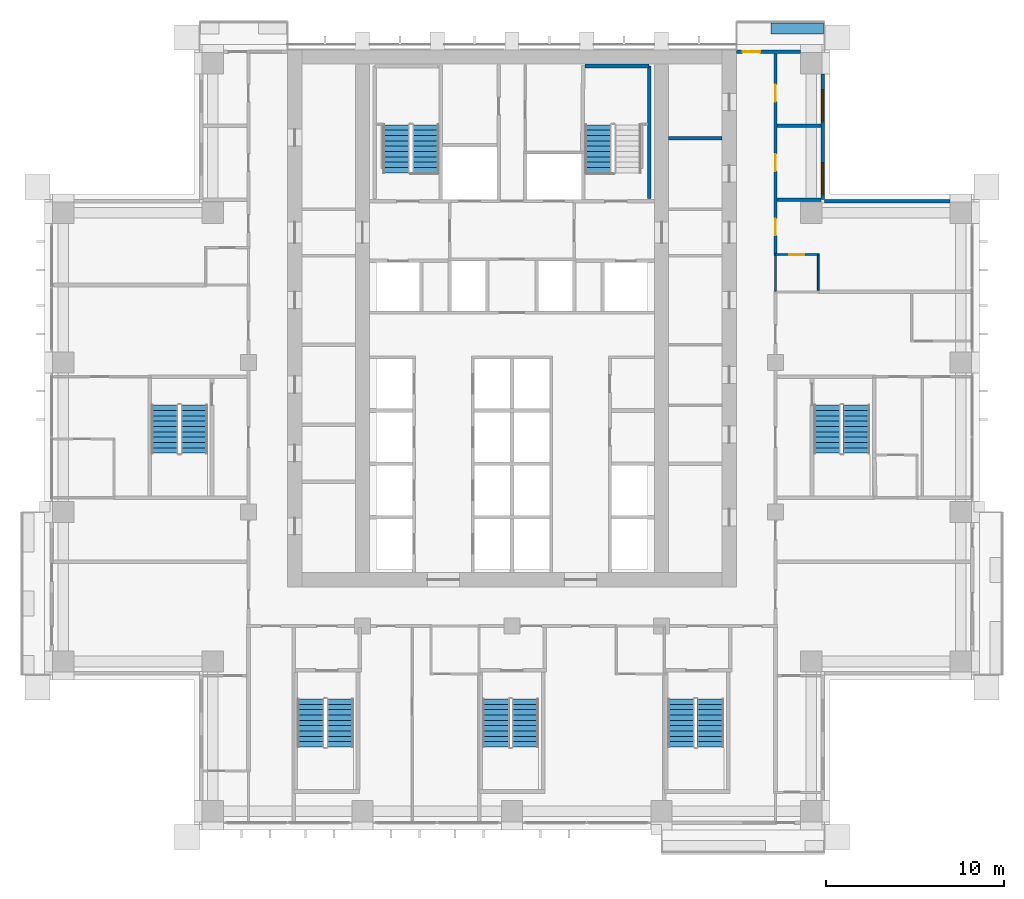
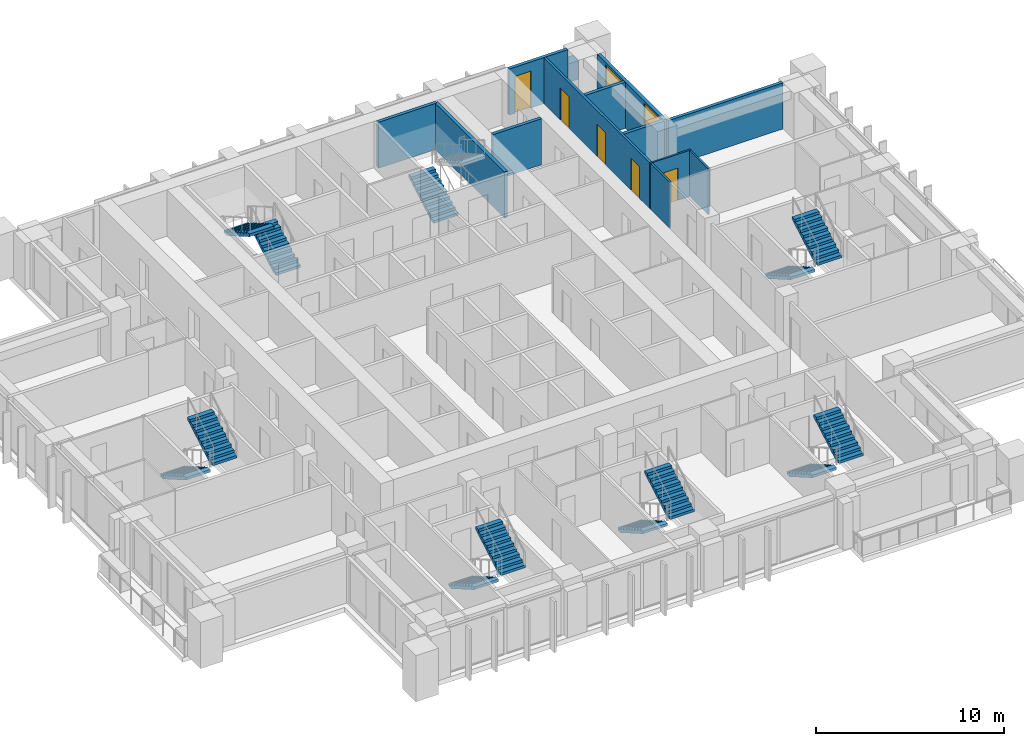
# One storey, part 15 of 21: 13 stair flights, 13 walls, 5 doors, 2 windows, 7 openings, 7 elements without a shape of their own.
"""IFC4 building model written with IfcOpenShell, lengths in metres."""

from ifc_helpers import new_model, si_unit, direction, frame, frame_2d, origin, place, context, subcontext, project, spatial, polyline, rectangle, outline, extrude, material, layer, layer_set, type_object, element, fill, aggregate, save


model = new_model("IFC4")

# Units and contexts
model_context = context("Model", 3, precision=1e-05, world=origin(), true_north=direction((0.0, 1.0)))
body_context = subcontext(model_context, "Body", "Model", "MODEL_VIEW")
ifc_project = project(units=[si_unit("LENGTHUNIT", "METRE"), si_unit("AREAUNIT", "SQUARE_METRE"), si_unit("VOLUMEUNIT", "CUBIC_METRE"), si_unit("PLANEANGLEUNIT", "RADIAN"), si_unit("MASSUNIT", "GRAM", prefix="KILO")], contexts=[model_context])

# Site, building, storey
site_placement = place(None, origin())
site = spatial("IfcSite", under=ifc_project, at=site_placement, CompositionType="ELEMENT")
building_placement = place(site_placement, origin())
building = spatial("IfcBuilding", under=site, at=building_placement, Name="Vermilion Ogive Tower", CompositionType="ELEMENT")
storey_placement = place(building_placement, frame((0.0, 0.0, 118.35009765625)))
storey = spatial("IfcBuildingStorey", under=building, at=storey_placement, Name="L30", CompositionType="ELEMENT", Elevation=118.35009765625)

# Wall, opening, door
ifc_material_1 = material(Name="Gypsum board partition on steel studs", Category="steel")
ifc_layer_1 = layer(ifc_material_1, 0.10009765625)
ifc_layer_set_1 = layer_set([ifc_layer_1], Name="Partition 100 bath")
wall_type_1 = type_object("IfcWallType", Name="Partition 100 bath", PredefinedType="PARTITIONING", material=ifc_layer_set_1)
wall_1_placement = place(storey_placement, frame((14.72509765625, 10.260009765625, 0.0), z_axis=(0.0, 0.0, 1.0), x_axis=(1.0, 0.0, 0.0)))
wall_1 = element("IfcWall", 1, at=wall_1_placement, inside=storey, type_object=wall_type_1, Name="L30-W-W036", PredefinedType="PARTITIONING", context=body_context, shape_type="SweptSolid", body=[
    extrude(rectangle(XDim=2.52490234375, YDim=0.10009765625, at=frame_2d((1.262451171875, 0.0))), origin(), (0.0, 0.0, 1.0), 3.0),
])
opening_1_placement = place(wall_1_placement, frame((0.849853515625, 0.0, 0.0)))
opening_1 = element("IfcOpeningElement", 2, at=opening_1_placement, cuts=wall_1, Name="Opening D2G6025", PredefinedType="OPENING", context=body_context, shape_type="SweptSolid", body=[
    extrude(rectangle(XDim=0.85009765625, YDim=2.10009765625, at=frame_2d((0.425048828125, 1.050048828125))), frame((0.0, 0.06005859375, 0.0), z_axis=(0.0, -1.0, 0.0), x_axis=(1.0, 0.0, 0.0)), (0.0, 0.0, 1.0), 0.1201171875),
])
ifc_material_2 = material(Name="Timber door leaf", Category="wood")
door_type_1 = type_object("IfcDoorType", Name="Bath door 850 x 2100 FD30", OperationType="SINGLE_SWING_LEFT", PredefinedType="DOOR", material=ifc_material_2)
door_1_placement = place(opening_1_placement, origin())
door_1 = element("IfcDoor", 3, at=door_1_placement, inside=storey, type_object=door_type_1, Name="L30-D-D025", OperationType="SINGLE_SWING_RIGHT", OverallHeight=2.10009765625, OverallWidth=0.85009765625, PredefinedType="DOOR", context=body_context, shape_type="SweptSolid", body=[
    extrude(rectangle(XDim=0.85009765625, YDim=2.10009765625, at=frame_2d((0.425048828125, 1.050048828125))), frame((0.0, 0.02490234375, 0.0), z_axis=(0.0, -1.0, 0.0), x_axis=(1.0, 0.0, 0.0)), (0.0, 0.0, 1.0), 0.050048828125),
])
fill(opening_1, door_1)

# Walls
wall_2_placement = place(storey_placement, frame((14.800048828125, 8.2099609375, 0.0), z_axis=(0.0, 0.0, 1.0), x_axis=(0.0, 1.0, 0.0)))
element("IfcWall", 4, at=wall_2_placement, inside=storey, type_object=wall_type_1, Name="L30-W-W071", PredefinedType="PARTITIONING", context=body_context, shape_type="SweptSolid", body=[
    extrude(rectangle(XDim=2.0, YDim=0.10009765625, at=frame_2d((1.0, 0.0))), origin(), (0.0, 0.0, 1.0), 3.0),
])
wall_3_placement = place(storey_placement, frame((17.199951171875, 8.260009765625, 0.0), z_axis=(0.0, 0.0, 1.0), x_axis=(0.0, 1.0, 0.0)))
element("IfcWall", 5, at=wall_3_placement, inside=storey, type_object=wall_type_1, Name="L30-W-W074", PredefinedType="PARTITIONING", context=body_context, shape_type="SweptSolid", body=[
    extrude(rectangle(XDim=1.949951171875, YDim=0.10009765625, at=frame_2d((0.97509765625, 0.0))), origin(), (0.0, 0.0, 1.0), 3.0),
])

# Wall, openings, doors
ifc_material_3 = material(Name="Gypsum board partition on steel studs", Category="steel")
ifc_layer_2 = layer(ifc_material_3, 0.14990234375)
ifc_layer_set_2 = layer_set([ifc_layer_2], Name="Partition 150 corridor")
wall_type_2 = type_object("IfcWallType", Name="Partition 150 corridor", PredefinedType="PARTITIONING", material=ifc_layer_set_2)
wall_4_placement = place(storey_placement, frame((14.800048828125, 10.31005859375, 0.0), z_axis=(0.0, 0.0, 1.0), x_axis=(0.0, 1.0, 0.0)))
wall_4 = element("IfcWall", 6, at=wall_4_placement, inside=storey, type_object=wall_type_2, Name="L30-W-W072", PredefinedType="PARTITIONING", context=body_context, shape_type="SweptSolid", body=[
    extrude(rectangle(XDim=11.239990234375, YDim=0.14990234375, at=frame_2d((5.6201171875, 0.0))), origin(), (0.0, 0.0, 1.0), 3.0),
])
opening_2_placement = place(wall_4_placement, frame((1.02001953125, 0.0, 0.0)))
opening_2 = element("IfcOpeningElement", 7, at=opening_2_placement, cuts=wall_4, Name="Opening D2G6024", PredefinedType="OPENING", context=body_context, shape_type="SweptSolid", body=[
    extrude(rectangle(XDim=0.949951171875, YDim=2.10009765625, at=frame_2d((0.47509765625, 1.050048828125))), frame((0.0, 0.0849609375, 0.0), z_axis=(0.0, -1.0, 0.0), x_axis=(1.0, 0.0, 0.0)), (0.0, 0.0, 1.0), 0.169921875),
])
opening_3_placement = place(wall_4_placement, frame((4.639892578125, 0.0, 0.0)))
opening_3 = element("IfcOpeningElement", 8, at=opening_3_placement, cuts=wall_4, Name="Opening D2G6026", PredefinedType="OPENING", context=body_context, shape_type="SweptSolid", body=[
    extrude(rectangle(XDim=0.949951171875, YDim=2.10009765625, at=frame_2d((0.47509765625, 1.050048828125))), frame((0.0, 0.0849609375, 0.0), z_axis=(0.0, -1.0, 0.0), x_axis=(1.0, 0.0, 0.0)), (0.0, 0.0, 1.0), 0.169921875),
])
opening_4_placement = place(wall_4_placement, frame((8.5400390625, 0.0, 0.0)))
opening_4 = element("IfcOpeningElement", 9, at=opening_4_placement, cuts=wall_4, Name="Opening D2G6027", PredefinedType="OPENING", context=body_context, shape_type="SweptSolid", body=[
    extrude(rectangle(XDim=0.949951171875, YDim=2.10009765625, at=frame_2d((0.47509765625, 1.050048828125))), frame((0.0, 0.0849609375, 0.0), z_axis=(0.0, -1.0, 0.0), x_axis=(1.0, 0.0, 0.0)), (0.0, 0.0, 1.0), 0.169921875),
])
ifc_material_4 = material(Name="Timber door leaf", Category="wood")
door_type_2 = type_object("IfcDoorType", Name="Unit door 950 x 2100 FD30S", OperationType="SINGLE_SWING_LEFT", PredefinedType="DOOR", material=ifc_material_4)
door_2_placement = place(opening_2_placement, origin())
door_2 = element("IfcDoor", 10, at=door_2_placement, inside=storey, type_object=door_type_2, Name="L30-D-D024", OperationType="SINGLE_SWING_RIGHT", OverallHeight=2.10009765625, OverallWidth=0.949951171875, PredefinedType="DOOR", context=body_context, shape_type="SweptSolid", body=[
    extrude(rectangle(XDim=0.949951171875, YDim=2.10009765625, at=frame_2d((0.47509765625, 1.050048828125))), frame((0.0, 0.02490234375, 0.0), z_axis=(0.0, -1.0, 0.0), x_axis=(1.0, 0.0, 0.0)), (0.0, 0.0, 1.0), 0.050048828125),
])
fill(opening_2, door_2)
door_3_placement = place(opening_3_placement, origin())
door_3 = element("IfcDoor", 11, at=door_3_placement, inside=storey, type_object=door_type_2, Name="L30-D-D026", OperationType="SINGLE_SWING_RIGHT", OverallHeight=2.10009765625, OverallWidth=0.949951171875, PredefinedType="DOOR", context=body_context, shape_type="SweptSolid", body=[
    extrude(rectangle(XDim=0.949951171875, YDim=2.10009765625, at=frame_2d((0.47509765625, 1.050048828125))), frame((0.0, 0.02490234375, 0.0), z_axis=(0.0, -1.0, 0.0), x_axis=(1.0, 0.0, 0.0)), (0.0, 0.0, 1.0), 0.050048828125),
])
fill(opening_3, door_3)
door_4_placement = place(opening_4_placement, origin())
door_4 = element("IfcDoor", 12, at=door_4_placement, inside=storey, type_object=door_type_2, Name="L30-D-D027", OperationType="SINGLE_SWING_LEFT", OverallHeight=2.10009765625, OverallWidth=0.949951171875, PredefinedType="DOOR", context=body_context, shape_type="SweptSolid", body=[
    extrude(rectangle(XDim=0.949951171875, YDim=2.10009765625, at=frame_2d((0.47509765625, 1.050048828125))), frame((0.0, 0.02490234375, 0.0), z_axis=(0.0, -1.0, 0.0), x_axis=(1.0, 0.0, 0.0)), (0.0, 0.0, 1.0), 0.050048828125),
])
fill(opening_4, door_4)

# Walls
ifc_material_5 = material(Name="Gypsum board partition on steel studs", Category="steel")
ifc_layer_3 = layer(ifc_material_5, 0.199951171875)
ifc_layer_set_3 = layer_set([ifc_layer_3], Name="Partition 200 party")
wall_type_3 = type_object("IfcWallType", Name="Partition 200 party", PredefinedType="PARTITIONING", material=ifc_layer_set_3)
for number, where, z_axis, x_axis, name in (
    (13, (14.875, 13.35009765625, 0.0), (0.0, 0.0, 1.0), (1.0, 0.0, 0.0), "L30-W-W039"),
    (14, (14.875, 17.5, 0.0), (0.0, 0.0, 1.0), (1.0, 0.0, 0.0), "L30-W-W041"),
):
    element("IfcWall", number, at=place(storey_placement, frame(where, z_axis=z_axis, x_axis=x_axis)), inside=storey, type_object=wall_type_3, Name=name, PredefinedType="PARTITIONING", context=body_context, shape_type="SweptSolid", body=[
        extrude(rectangle(XDim=2.47509765625, YDim=0.199951171875, at=frame_2d((1.237548828125, 0.0))), origin(), (0.0, 0.0, 1.0), 3.0),
    ])
wall_5_placement = place(storey_placement, frame((8.801025390625, 16.800048828125, 0.0), z_axis=(0.0, 0.0, 1.0), x_axis=(1.0, 0.0, 0.0)))
element("IfcWall", 15, at=wall_5_placement, inside=storey, type_object=wall_type_3, Name="L30-CKE-W-W006", PredefinedType="PARTITIONING", context=body_context, shape_type="SweptSolid", body=[
    extrude(rectangle(XDim=2.998046875, YDim=0.199951171875, at=frame_2d((1.4990234375, 0.0))), origin(), (0.0, 0.0, 1.0), 3.0),
])
ifc_material_6 = material(Name="Concrete B60", Category="concrete")
ifc_layer_4 = layer(ifc_material_6, 0.199951171875)
ifc_layer_set_4 = layer_set([ifc_layer_4], Name="Stair shaft wall 200 Concrete B60")
wall_type_4 = type_object("IfcWallType", Name="Stair shaft wall 200 Concrete B60", PredefinedType="SOLIDWALL", material=ifc_layer_set_4)
wall_6_placement = place(storey_placement, frame((7.699951171875, 13.39990234375, 0.0), z_axis=(0.0, 0.0, 1.0), x_axis=(0.0, 1.0, 0.0)))
element("IfcWall", 16, at=wall_6_placement, inside=storey, type_object=wall_type_4, Name="L30-SW-R025-E1", PredefinedType="SOLIDWALL", context=body_context, shape_type="SweptSolid", body=[
    extrude(rectangle(XDim=7.4501953125, YDim=0.199951171875, at=frame_2d((3.72509765625, 0.0))), origin(), (0.0, 0.0, 1.0), 3.0),
])
wall_7_placement = place(storey_placement, frame((4.10009765625, 20.85009765625, 0.0), z_axis=(0.0, 0.0, 1.0), x_axis=(1.0, 0.0, 0.0)))
element("IfcWall", 17, at=wall_7_placement, inside=storey, type_object=wall_type_4, Name="L30-SW-R025-N1", PredefinedType="SOLIDWALL", context=body_context, shape_type="SweptSolid", body=[
    extrude(rectangle(XDim=3.599853515625, YDim=0.199951171875, at=frame_2d((1.7998046875, 0.0))), origin(), (0.0, 0.0, 1.0), 3.0),
])
ifc_material_7 = material(Name="Concrete B40", Category="concrete")
ifc_layer_5 = layer(ifc_material_7, 0.60009765625)
ifc_layer_set_5 = layer_set([ifc_layer_5], Name="Structural planter")
wall_type_5 = type_object("IfcWallType", Name="Structural planter", PredefinedType="USERDEFINED", material=ifc_layer_set_5)
wall_8_placement = place(storey_placement, frame((17.489990234375, 22.9541015625, -0.0400390625), z_axis=(0.0, 0.0, 1.0), x_axis=(-1.0, 0.0, 0.0)))
element("IfcWall", 18, at=wall_8_placement, inside=storey, type_object=wall_type_5, Name="Planter N101A1", ObjectType="PLANTER", PredefinedType="USERDEFINED", context=body_context, shape_type="SweptSolid", body=[
    extrude(rectangle(XDim=2.93994140625, YDim=0.60009765625, at=frame_2d((1.469970703125, 0.0))), origin(), (0.0, 0.0, 1.0), 1.199951171875),
])
ifc_material_8 = material(Name="Aluminium window wall framing", Category="aluminium")
ifc_layer_6 = layer(ifc_material_8, 0.199951171875)
ifc_layer_set_6 = layer_set([ifc_layer_6], Name="Window wall")
wall_type_6 = type_object("IfcWallType", Name="Window wall", PredefinedType="STANDARD", material=ifc_layer_set_6)
wall_9_placement = place(storey_placement, frame((24.60009765625, 13.25, 0.0), z_axis=(0.0, 0.0, 1.0), x_axis=(-1.0, 0.0, 0.0)))
element("IfcWall", 19, at=wall_9_placement, inside=storey, type_object=wall_type_6, Name="Window wall X31", PredefinedType="STANDARD", context=body_context, shape_type="SweptSolid", body=[
    extrude(rectangle(XDim=7.050048828125, YDim=0.199951171875, at=frame_2d((3.52490234375, 0.0))), origin(), (0.0, 0.0, 1.0), 3.0),
])

# Wall, openings, windows
wall_10_placement = place(storey_placement, frame((17.449951171875, 13.35009765625, 0.0), z_axis=(0.0, 0.0, 1.0), x_axis=(0.0, 1.0, 0.0)))
wall_10 = element("IfcWall", 20, at=wall_10_placement, inside=storey, type_object=wall_type_6, Name="Window wall X41", PredefinedType="STANDARD", context=body_context, shape_type="SweptSolid", body=[
    extrude(rectangle(XDim=7.0498046875, YDim=0.199951171875, at=frame_2d((3.52490234375, 0.0))), origin(), (0.0, 0.0, 1.0), 3.0),
])
opening_5_placement = place(wall_10_placement, frame((0.27490234375, 0.0, 0.199951171875)))
opening_5 = element("IfcOpeningElement", 21, at=opening_5_placement, cuts=wall_10, Name="Opening W1-X403", PredefinedType="OPENING", context=body_context, shape_type="SweptSolid", body=[
    extrude(rectangle(XDim=1.800048828125, YDim=2.64990234375, at=frame_2d((0.89990234375, 1.324951171875))), frame((0.0, 0.10986328125, 0.0), z_axis=(0.0, -1.0, 0.0), x_axis=(1.0, 0.0, 0.0)), (0.0, 0.0, 1.0), 0.219970703125),
])
opening_6_placement = place(wall_10_placement, frame((4.3701171875, 0.0, 0.199951171875)))
opening_6 = element("IfcOpeningElement", 22, at=opening_6_placement, cuts=wall_10, Name="Opening W1-X404", PredefinedType="OPENING", context=body_context, shape_type="SweptSolid", body=[
    extrude(rectangle(XDim=1.800048828125, YDim=2.64990234375, at=frame_2d((0.89990234375, 1.324951171875))), frame((0.0, 0.10986328125, 0.0), z_axis=(0.0, -1.0, 0.0), x_axis=(1.0, 0.0, 0.0)), (0.0, 0.0, 1.0), 0.219970703125),
])
ifc_material_9 = material(Name="Aluminium framed double glazing", Category="aluminium")
window_type = type_object("IfcWindowType", Name="Guest window W1", PartitioningType="SINGLE_PANEL", PredefinedType="WINDOW", material=ifc_material_9)
window_1_placement = place(opening_5_placement, origin())
window_1 = element("IfcWindow", 23, at=window_1_placement, inside=storey, type_object=window_type, Name="Window X403", OverallHeight=2.64990234375, OverallWidth=1.800048828125, PartitioningType="SINGLE_PANEL", PredefinedType="WINDOW", context=body_context, shape_type="SweptSolid", body=[
    extrude(rectangle(XDim=1.800048828125, YDim=2.64990234375, at=frame_2d((0.89990234375, 1.324951171875))), frame((0.0, 0.030029296875, 0.0), z_axis=(0.0, -1.0, 0.0), x_axis=(1.0, 0.0, 0.0)), (0.0, 0.0, 1.0), 0.06005859375),
])
fill(opening_5, window_1)
window_2_placement = place(opening_6_placement, origin())
window_2 = element("IfcWindow", 24, at=window_2_placement, inside=storey, type_object=window_type, Name="Window X404", OverallHeight=2.64990234375, OverallWidth=1.800048828125, PartitioningType="SINGLE_PANEL", PredefinedType="WINDOW", context=body_context, shape_type="SweptSolid", body=[
    extrude(rectangle(XDim=1.800048828125, YDim=2.64990234375, at=frame_2d((0.89990234375, 1.324951171875))), frame((0.0, 0.030029296875, 0.0), z_axis=(0.0, -1.0, 0.0), x_axis=(1.0, 0.0, 0.0)), (0.0, 0.0, 1.0), 0.06005859375),
])
fill(opening_6, window_2)

# Wall, opening, door
wall_11_placement = place(storey_placement, frame((16.199951171875, 21.64990234375, 0.0), z_axis=(0.0, 0.0, 1.0), x_axis=(-1.0, 0.0, 0.0)))
wall_11 = element("IfcWall", 25, at=wall_11_placement, inside=storey, type_object=wall_type_6, Name="Window wall N11", PredefinedType="STANDARD", context=body_context, shape_type="SweptSolid", body=[
    extrude(rectangle(XDim=3.599853515625, YDim=0.199951171875, at=frame_2d((1.7998046875, 0.0))), origin(), (0.0, 0.0, 1.0), 3.0),
])
opening_7_placement = place(wall_11_placement, frame((2.25, 0.0, 0.0)))
opening_7 = element("IfcOpeningElement", 26, at=opening_7_placement, cuts=wall_11, Name="Opening D1-N103", PredefinedType="OPENING", context=body_context, shape_type="SweptSolid", body=[
    extrude(rectangle(XDim=1.0, YDim=2.39990234375, at=frame_2d((0.5, 1.199951171875))), frame((0.0, 0.10986328125, 0.0), z_axis=(0.0, -1.0, 0.0), x_axis=(1.0, 0.0, 0.0)), (0.0, 0.0, 1.0), 0.219970703125),
])
ifc_material_10 = material(Name="Aluminium framed glazed door", Category="aluminium")
door_type_3 = type_object("IfcDoorType", Name="Balcony door D1", OperationType="SINGLE_SWING_LEFT", PredefinedType="DOOR", material=ifc_material_10)
door_5_placement = place(opening_7_placement, origin())
door_5 = element("IfcDoor", 27, at=door_5_placement, inside=storey, type_object=door_type_3, Name="Balcony door N103", OperationType="SINGLE_SWING_LEFT", OverallHeight=2.39990234375, OverallWidth=1.0, PredefinedType="DOOR", context=body_context, shape_type="SweptSolid", body=[
    extrude(rectangle(XDim=1.0, YDim=2.39990234375, at=frame_2d((0.5, 1.199951171875))), frame((0.0, 0.02490234375, 0.0), z_axis=(0.0, -1.0, 0.0), x_axis=(1.0, 0.0, 0.0)), (0.0, 0.0, 1.0), 0.050048828125),
])
fill(opening_7, door_5)

# Stair, stair flights
ifc_material_11 = material(Name="Concrete B40", Category="concrete")
stair_type = type_object("IfcStairType", Name="Exit stair 1500", PredefinedType="HALF_TURN_STAIR", material=ifc_material_11)
stair_1_placement = place(storey_placement, origin())
stair_1 = element("IfcStair", 28, at=stair_1_placement, inside=storey, type_object=stair_type, Name="L30 Exit Stair ST1", PredefinedType="HALF_TURN_STAIR")
ifc_material_12 = material(Name="Concrete B40", Category="concrete")
stair_flight_type = type_object("IfcStairFlightType", Name="Stair flight 1500", PredefinedType="STRAIGHT", material=ifc_material_12)
stair_flight_1_placement = place(storey_placement, frame((-4.85009765625, 14.85009765625, 0.0), z_axis=(0.0, 0.0, 1.0), x_axis=(0.0, 1.0, 0.0)))
stair_flight_1 = element("IfcStairFlight", 29, at=stair_flight_1_placement, type_object=stair_flight_type, Name="ST1 flight 1", NumberOfRisers=10, NumberOfTreads=9, PredefinedType="STRAIGHT", RiserHeight=0.1725, TreadLength=0.3, context=body_context, shape_type="SweptSolid", body=[
    extrude(outline(polyline([(0.0, 0.0), (0.0, 0.172607421875), (0.300048828125, 0.172607421875), (0.300048828125, 0.344970703125), (0.60009765625, 0.344970703125), (0.60009765625, 0.517578125), (0.89990234375, 0.517578125), (0.89990234375, 0.68994140625), (1.199951171875, 0.68994140625), (1.199951171875, 0.862548828125), (1.5, 0.862548828125), (1.5, 1.034912109375), (1.800048828125, 1.034912109375), (1.800048828125, 1.20751953125), (2.10009765625, 1.20751953125), (2.10009765625, 1.3798828125), (2.39990234375, 1.3798828125), (2.39990234375, 1.552490234375), (2.699951171875, 1.552490234375), (2.699951171875, 1.72509765625), (2.699951171875, 1.379638671875), (0.30078125, 0.0), (0.0, 0.0)])), frame((0.0, 0.75, 0.0), z_axis=(0.0, -1.0, 0.0), x_axis=(1.0, 0.0, 0.0)), (0.0, 0.0, 1.0), 1.5),
])
stair_flight_2_placement = place(storey_placement, frame((-6.5, 17.550048828125, 1.724853515625), z_axis=(0.0, 0.0, 1.0), x_axis=(0.0, -1.0, 0.0)))
stair_flight_2 = element("IfcStairFlight", 30, at=stair_flight_2_placement, type_object=stair_flight_type, Name="ST1 flight 2", NumberOfRisers=10, NumberOfTreads=9, PredefinedType="STRAIGHT", RiserHeight=0.1725, TreadLength=0.3, context=body_context, shape_type="SweptSolid", body=[
    extrude(outline(polyline([(0.0, 0.0), (0.0, 0.172607421875), (0.300048828125, 0.172607421875), (0.300048828125, 0.344970703125), (0.60009765625, 0.344970703125), (0.60009765625, 0.517578125), (0.89990234375, 0.517578125), (0.89990234375, 0.68994140625), (1.199951171875, 0.68994140625), (1.199951171875, 0.862548828125), (1.5, 0.862548828125), (1.5, 1.034912109375), (1.800048828125, 1.034912109375), (1.800048828125, 1.20751953125), (2.10009765625, 1.20751953125), (2.10009765625, 1.3798828125), (2.39990234375, 1.3798828125), (2.39990234375, 1.552490234375), (2.699951171875, 1.552490234375), (2.699951171875, 1.72509765625), (2.699951171875, 1.379638671875), (0.30078125, 0.0), (0.0, 0.0)])), frame((0.0, 0.75, 0.0), z_axis=(0.0, -1.0, 0.0), x_axis=(1.0, 0.0, 0.0)), (0.0, 0.0, 1.0), 1.5),
])
aggregate(stair_1, [stair_flight_1, stair_flight_2])

# Stair, stair flight
stair_2_placement = place(storey_placement, origin())
stair_2 = element("IfcStair", 31, at=stair_2_placement, inside=storey, type_object=stair_type, Name="L30 Exit Stair ST2", PredefinedType="HALF_TURN_STAIR")
stair_flight_3_placement = place(storey_placement, frame((4.85009765625, 14.85009765625, 0.0), z_axis=(0.0, 0.0, 1.0), x_axis=(0.0, 1.0, 0.0)))
stair_flight_3 = element("IfcStairFlight", 32, at=stair_flight_3_placement, type_object=stair_flight_type, Name="ST2 flight 1", NumberOfRisers=10, NumberOfTreads=9, PredefinedType="STRAIGHT", RiserHeight=0.1725, TreadLength=0.3, context=body_context, shape_type="SweptSolid", body=[
    extrude(outline(polyline([(0.0, 0.0), (0.0, 0.172607421875), (0.300048828125, 0.172607421875), (0.300048828125, 0.344970703125), (0.60009765625, 0.344970703125), (0.60009765625, 0.517578125), (0.89990234375, 0.517578125), (0.89990234375, 0.68994140625), (1.199951171875, 0.68994140625), (1.199951171875, 0.862548828125), (1.5, 0.862548828125), (1.5, 1.034912109375), (1.800048828125, 1.034912109375), (1.800048828125, 1.20751953125), (2.10009765625, 1.20751953125), (2.10009765625, 1.3798828125), (2.39990234375, 1.3798828125), (2.39990234375, 1.552490234375), (2.699951171875, 1.552490234375), (2.699951171875, 1.72509765625), (2.699951171875, 1.379638671875), (0.30078125, 0.0), (0.0, 0.0)])), frame((0.0, 0.75, 0.0), z_axis=(0.0, -1.0, 0.0), x_axis=(1.0, 0.0, 0.0)), (0.0, 0.0, 1.0), 1.5),
])
aggregate(stair_2, [stair_flight_3])

# Stair, stair flights
stair_3_placement = place(storey_placement, origin())
stair_3 = element("IfcStair", 33, at=stair_3_placement, inside=storey, type_object=stair_type, Name="L30 Exit Stair ST3", PredefinedType="HALF_TURN_STAIR")
stair_flight_4_placement = place(storey_placement, frame((-11.300048828125, -14.699951171875, 0.0), z_axis=(0.0, 0.0, 1.0), x_axis=(0.0, -1.0, 0.0)))
stair_flight_4 = element("IfcStairFlight", 34, at=stair_flight_4_placement, type_object=stair_flight_type, Name="ST3 flight 1", NumberOfRisers=10, NumberOfTreads=9, PredefinedType="STRAIGHT", RiserHeight=0.1725, TreadLength=0.3, context=body_context, shape_type="SweptSolid", body=[
    extrude(outline(polyline([(0.0, 0.0), (0.0, 0.172607421875), (0.300048828125, 0.172607421875), (0.300048828125, 0.344970703125), (0.60009765625, 0.344970703125), (0.60009765625, 0.517578125), (0.89990234375, 0.517578125), (0.89990234375, 0.68994140625), (1.199951171875, 0.68994140625), (1.199951171875, 0.862548828125), (1.5, 0.862548828125), (1.5, 1.034912109375), (1.800048828125, 1.034912109375), (1.800048828125, 1.20751953125), (2.10009765625, 1.20751953125), (2.10009765625, 1.3798828125), (2.39990234375, 1.3798828125), (2.39990234375, 1.552490234375), (2.699951171875, 1.552490234375), (2.699951171875, 1.72509765625), (2.699951171875, 1.379638671875), (0.30078125, 0.0), (0.0, 0.0)])), frame((0.0, 0.75, 0.0), z_axis=(0.0, -1.0, 0.0), x_axis=(1.0, 0.0, 0.0)), (0.0, 0.0, 1.0), 1.5),
])
stair_flight_5_placement = place(storey_placement, frame((-9.64990234375, -17.39990234375, 1.724853515625), z_axis=(0.0, 0.0, 1.0), x_axis=(0.0, 1.0, 0.0)))
stair_flight_5 = element("IfcStairFlight", 35, at=stair_flight_5_placement, type_object=stair_flight_type, Name="ST3 flight 2", NumberOfRisers=10, NumberOfTreads=9, PredefinedType="STRAIGHT", RiserHeight=0.1725, TreadLength=0.3, context=body_context, shape_type="SweptSolid", body=[
    extrude(outline(polyline([(0.0, 0.0), (0.0, 0.172607421875), (0.300048828125, 0.172607421875), (0.300048828125, 0.344970703125), (0.60009765625, 0.344970703125), (0.60009765625, 0.517578125), (0.89990234375, 0.517578125), (0.89990234375, 0.68994140625), (1.199951171875, 0.68994140625), (1.199951171875, 0.862548828125), (1.5, 0.862548828125), (1.5, 1.034912109375), (1.800048828125, 1.034912109375), (1.800048828125, 1.20751953125), (2.10009765625, 1.20751953125), (2.10009765625, 1.3798828125), (2.39990234375, 1.3798828125), (2.39990234375, 1.552490234375), (2.699951171875, 1.552490234375), (2.699951171875, 1.72509765625), (2.699951171875, 1.379638671875), (0.30078125, 0.0), (0.0, 0.0)])), frame((0.0, 0.75, 0.0), z_axis=(0.0, -1.0, 0.0), x_axis=(1.0, 0.0, 0.0)), (0.0, 0.0, 1.0), 1.5),
])
aggregate(stair_3, [stair_flight_4, stair_flight_5])

stair_4_placement = place(storey_placement, origin())
stair_4 = element("IfcStair", 36, at=stair_4_placement, inside=storey, type_object=stair_type, Name="L30 Exit Stair ST4", PredefinedType="HALF_TURN_STAIR")
stair_flight_6_placement = place(storey_placement, frame((-0.89990234375, -14.699951171875, 0.0), z_axis=(0.0, 0.0, 1.0), x_axis=(0.0, -1.0, 0.0)))
stair_flight_6 = element("IfcStairFlight", 37, at=stair_flight_6_placement, type_object=stair_flight_type, Name="ST4 flight 1", NumberOfRisers=10, NumberOfTreads=9, PredefinedType="STRAIGHT", RiserHeight=0.1725, TreadLength=0.3, context=body_context, shape_type="SweptSolid", body=[
    extrude(outline(polyline([(0.0, 0.0), (0.0, 0.172607421875), (0.300048828125, 0.172607421875), (0.300048828125, 0.344970703125), (0.60009765625, 0.344970703125), (0.60009765625, 0.517578125), (0.89990234375, 0.517578125), (0.89990234375, 0.68994140625), (1.199951171875, 0.68994140625), (1.199951171875, 0.862548828125), (1.5, 0.862548828125), (1.5, 1.034912109375), (1.800048828125, 1.034912109375), (1.800048828125, 1.20751953125), (2.10009765625, 1.20751953125), (2.10009765625, 1.3798828125), (2.39990234375, 1.3798828125), (2.39990234375, 1.552490234375), (2.699951171875, 1.552490234375), (2.699951171875, 1.72509765625), (2.699951171875, 1.379638671875), (0.30078125, 0.0), (0.0, 0.0)])), frame((0.0, 0.75, 0.0), z_axis=(0.0, -1.0, 0.0), x_axis=(1.0, 0.0, 0.0)), (0.0, 0.0, 1.0), 1.5),
])
stair_flight_7_placement = place(storey_placement, frame((0.75, -17.39990234375, 1.724853515625), z_axis=(0.0, 0.0, 1.0), x_axis=(0.0, 1.0, 0.0)))
stair_flight_7 = element("IfcStairFlight", 38, at=stair_flight_7_placement, type_object=stair_flight_type, Name="ST4 flight 2", NumberOfRisers=10, NumberOfTreads=9, PredefinedType="STRAIGHT", RiserHeight=0.1725, TreadLength=0.3, context=body_context, shape_type="SweptSolid", body=[
    extrude(outline(polyline([(0.0, 0.0), (0.0, 0.172607421875), (0.300048828125, 0.172607421875), (0.300048828125, 0.344970703125), (0.60009765625, 0.344970703125), (0.60009765625, 0.517578125), (0.89990234375, 0.517578125), (0.89990234375, 0.68994140625), (1.199951171875, 0.68994140625), (1.199951171875, 0.862548828125), (1.5, 0.862548828125), (1.5, 1.034912109375), (1.800048828125, 1.034912109375), (1.800048828125, 1.20751953125), (2.10009765625, 1.20751953125), (2.10009765625, 1.3798828125), (2.39990234375, 1.3798828125), (2.39990234375, 1.552490234375), (2.699951171875, 1.552490234375), (2.699951171875, 1.72509765625), (2.699951171875, 1.379638671875), (0.30078125, 0.0), (0.0, 0.0)])), frame((0.0, 0.75, 0.0), z_axis=(0.0, -1.0, 0.0), x_axis=(1.0, 0.0, 0.0)), (0.0, 0.0, 1.0), 1.5),
])
aggregate(stair_4, [stair_flight_6, stair_flight_7])

stair_5_placement = place(storey_placement, origin())
stair_5 = element("IfcStair", 39, at=stair_5_placement, inside=storey, type_object=stair_type, Name="L30 Exit Stair ST5", PredefinedType="HALF_TURN_STAIR")
stair_flight_8_placement = place(storey_placement, frame((9.5, -14.699951171875, 0.0), z_axis=(0.0, 0.0, 1.0), x_axis=(0.0, -1.0, 0.0)))
stair_flight_8 = element("IfcStairFlight", 40, at=stair_flight_8_placement, type_object=stair_flight_type, Name="ST5 flight 1", NumberOfRisers=10, NumberOfTreads=9, PredefinedType="STRAIGHT", RiserHeight=0.1725, TreadLength=0.3, context=body_context, shape_type="SweptSolid", body=[
    extrude(outline(polyline([(0.0, 0.0), (0.0, 0.172607421875), (0.300048828125, 0.172607421875), (0.300048828125, 0.344970703125), (0.60009765625, 0.344970703125), (0.60009765625, 0.517578125), (0.89990234375, 0.517578125), (0.89990234375, 0.68994140625), (1.199951171875, 0.68994140625), (1.199951171875, 0.862548828125), (1.5, 0.862548828125), (1.5, 1.034912109375), (1.800048828125, 1.034912109375), (1.800048828125, 1.20751953125), (2.10009765625, 1.20751953125), (2.10009765625, 1.3798828125), (2.39990234375, 1.3798828125), (2.39990234375, 1.552490234375), (2.699951171875, 1.552490234375), (2.699951171875, 1.72509765625), (2.699951171875, 1.379638671875), (0.30078125, 0.0), (0.0, 0.0)])), frame((0.0, 0.75, 0.0), z_axis=(0.0, -1.0, 0.0), x_axis=(1.0, 0.0, 0.0)), (0.0, 0.0, 1.0), 1.5),
])
stair_flight_9_placement = place(storey_placement, frame((11.14990234375, -17.39990234375, 1.724853515625), z_axis=(0.0, 0.0, 1.0), x_axis=(0.0, 1.0, 0.0)))
stair_flight_9 = element("IfcStairFlight", 41, at=stair_flight_9_placement, type_object=stair_flight_type, Name="ST5 flight 2", NumberOfRisers=10, NumberOfTreads=9, PredefinedType="STRAIGHT", RiserHeight=0.1725, TreadLength=0.3, context=body_context, shape_type="SweptSolid", body=[
    extrude(outline(polyline([(0.0, 0.0), (0.0, 0.172607421875), (0.300048828125, 0.172607421875), (0.300048828125, 0.344970703125), (0.60009765625, 0.344970703125), (0.60009765625, 0.517578125), (0.89990234375, 0.517578125), (0.89990234375, 0.68994140625), (1.199951171875, 0.68994140625), (1.199951171875, 0.862548828125), (1.5, 0.862548828125), (1.5, 1.034912109375), (1.800048828125, 1.034912109375), (1.800048828125, 1.20751953125), (2.10009765625, 1.20751953125), (2.10009765625, 1.3798828125), (2.39990234375, 1.3798828125), (2.39990234375, 1.552490234375), (2.699951171875, 1.552490234375), (2.699951171875, 1.72509765625), (2.699951171875, 1.379638671875), (0.30078125, 0.0), (0.0, 0.0)])), frame((0.0, 0.75, 0.0), z_axis=(0.0, -1.0, 0.0), x_axis=(1.0, 0.0, 0.0)), (0.0, 0.0, 1.0), 1.5),
])
aggregate(stair_5, [stair_flight_8, stair_flight_9])

stair_6_placement = place(storey_placement, origin())
stair_6 = element("IfcStair", 42, at=stair_6_placement, inside=storey, type_object=stair_type, Name="L30 Exit Stair ST8", PredefinedType="HALF_TURN_STAIR")
stair_flight_10_placement = place(storey_placement, frame((17.699951171875, 1.800048828125, 0.0), z_axis=(0.0, 0.0, 1.0), x_axis=(0.0, -1.0, 0.0)))
stair_flight_10 = element("IfcStairFlight", 43, at=stair_flight_10_placement, type_object=stair_flight_type, Name="ST8 flight 1", NumberOfRisers=10, NumberOfTreads=9, PredefinedType="STRAIGHT", RiserHeight=0.1725, TreadLength=0.3, context=body_context, shape_type="SweptSolid", body=[
    extrude(outline(polyline([(0.0, 0.0), (0.0, 0.172607421875), (0.300048828125, 0.172607421875), (0.300048828125, 0.344970703125), (0.60009765625, 0.344970703125), (0.60009765625, 0.517578125), (0.89990234375, 0.517578125), (0.89990234375, 0.68994140625), (1.199951171875, 0.68994140625), (1.199951171875, 0.862548828125), (1.5, 0.862548828125), (1.5, 1.034912109375), (1.800048828125, 1.034912109375), (1.800048828125, 1.20751953125), (2.10009765625, 1.20751953125), (2.10009765625, 1.3798828125), (2.39990234375, 1.3798828125), (2.39990234375, 1.552490234375), (2.699951171875, 1.552490234375), (2.699951171875, 1.72509765625), (2.699951171875, 1.379638671875), (0.30078125, 0.0), (0.0, 0.0)])), frame((0.0, 0.75, 0.0), z_axis=(0.0, -1.0, 0.0), x_axis=(1.0, 0.0, 0.0)), (0.0, 0.0, 1.0), 1.5),
])
stair_flight_11_placement = place(storey_placement, frame((19.35009765625, -0.89990234375, 1.724853515625), z_axis=(0.0, 0.0, 1.0), x_axis=(0.0, 1.0, 0.0)))
stair_flight_11 = element("IfcStairFlight", 44, at=stair_flight_11_placement, type_object=stair_flight_type, Name="ST8 flight 2", NumberOfRisers=10, NumberOfTreads=9, PredefinedType="STRAIGHT", RiserHeight=0.1725, TreadLength=0.3, context=body_context, shape_type="SweptSolid", body=[
    extrude(outline(polyline([(0.0, 0.0), (0.0, 0.172607421875), (0.300048828125, 0.172607421875), (0.300048828125, 0.344970703125), (0.60009765625, 0.344970703125), (0.60009765625, 0.517578125), (0.89990234375, 0.517578125), (0.89990234375, 0.68994140625), (1.199951171875, 0.68994140625), (1.199951171875, 0.862548828125), (1.5, 0.862548828125), (1.5, 1.034912109375), (1.800048828125, 1.034912109375), (1.800048828125, 1.20751953125), (2.10009765625, 1.20751953125), (2.10009765625, 1.3798828125), (2.39990234375, 1.3798828125), (2.39990234375, 1.552490234375), (2.699951171875, 1.552490234375), (2.699951171875, 1.72509765625), (2.699951171875, 1.379638671875), (0.30078125, 0.0), (0.0, 0.0)])), frame((0.0, 0.75, 0.0), z_axis=(0.0, -1.0, 0.0), x_axis=(1.0, 0.0, 0.0)), (0.0, 0.0, 1.0), 1.5),
])
aggregate(stair_6, [stair_flight_10, stair_flight_11])

stair_7_placement = place(storey_placement, origin())
stair_7 = element("IfcStair", 45, at=stair_7_placement, inside=storey, type_object=stair_type, Name="L30 Exit Stair ST9", PredefinedType="HALF_TURN_STAIR")
stair_flight_12_placement = place(storey_placement, frame((-19.5, 1.800048828125, 0.0), z_axis=(0.0, 0.0, 1.0), x_axis=(0.0, -1.0, 0.0)))
stair_flight_12 = element("IfcStairFlight", 46, at=stair_flight_12_placement, type_object=stair_flight_type, Name="ST9 flight 1", NumberOfRisers=10, NumberOfTreads=9, PredefinedType="STRAIGHT", RiserHeight=0.1725, TreadLength=0.3, context=body_context, shape_type="SweptSolid", body=[
    extrude(outline(polyline([(0.0, 0.0), (0.0, 0.172607421875), (0.300048828125, 0.172607421875), (0.300048828125, 0.344970703125), (0.60009765625, 0.344970703125), (0.60009765625, 0.517578125), (0.89990234375, 0.517578125), (0.89990234375, 0.68994140625), (1.199951171875, 0.68994140625), (1.199951171875, 0.862548828125), (1.5, 0.862548828125), (1.5, 1.034912109375), (1.800048828125, 1.034912109375), (1.800048828125, 1.20751953125), (2.10009765625, 1.20751953125), (2.10009765625, 1.3798828125), (2.39990234375, 1.3798828125), (2.39990234375, 1.552490234375), (2.699951171875, 1.552490234375), (2.699951171875, 1.72509765625), (2.699951171875, 1.379638671875), (0.30078125, 0.0), (0.0, 0.0)])), frame((0.0, 0.75, 0.0), z_axis=(0.0, -1.0, 0.0), x_axis=(1.0, 0.0, 0.0)), (0.0, 0.0, 1.0), 1.5),
])
stair_flight_13_placement = place(storey_placement, frame((-17.85009765625, -0.89990234375, 1.724853515625), z_axis=(0.0, 0.0, 1.0), x_axis=(0.0, 1.0, 0.0)))
stair_flight_13 = element("IfcStairFlight", 47, at=stair_flight_13_placement, type_object=stair_flight_type, Name="ST9 flight 2", NumberOfRisers=10, NumberOfTreads=9, PredefinedType="STRAIGHT", RiserHeight=0.1725, TreadLength=0.3, context=body_context, shape_type="SweptSolid", body=[
    extrude(outline(polyline([(0.0, 0.0), (0.0, 0.172607421875), (0.300048828125, 0.172607421875), (0.300048828125, 0.344970703125), (0.60009765625, 0.344970703125), (0.60009765625, 0.517578125), (0.89990234375, 0.517578125), (0.89990234375, 0.68994140625), (1.199951171875, 0.68994140625), (1.199951171875, 0.862548828125), (1.5, 0.862548828125), (1.5, 1.034912109375), (1.800048828125, 1.034912109375), (1.800048828125, 1.20751953125), (2.10009765625, 1.20751953125), (2.10009765625, 1.3798828125), (2.39990234375, 1.3798828125), (2.39990234375, 1.552490234375), (2.699951171875, 1.552490234375), (2.699951171875, 1.72509765625), (2.699951171875, 1.379638671875), (0.30078125, 0.0), (0.0, 0.0)])), frame((0.0, 0.75, 0.0), z_axis=(0.0, -1.0, 0.0), x_axis=(1.0, 0.0, 0.0)), (0.0, 0.0, 1.0), 1.5),
])
aggregate(stair_7, [stair_flight_12, stair_flight_13])

save(model, "model.ifc")
